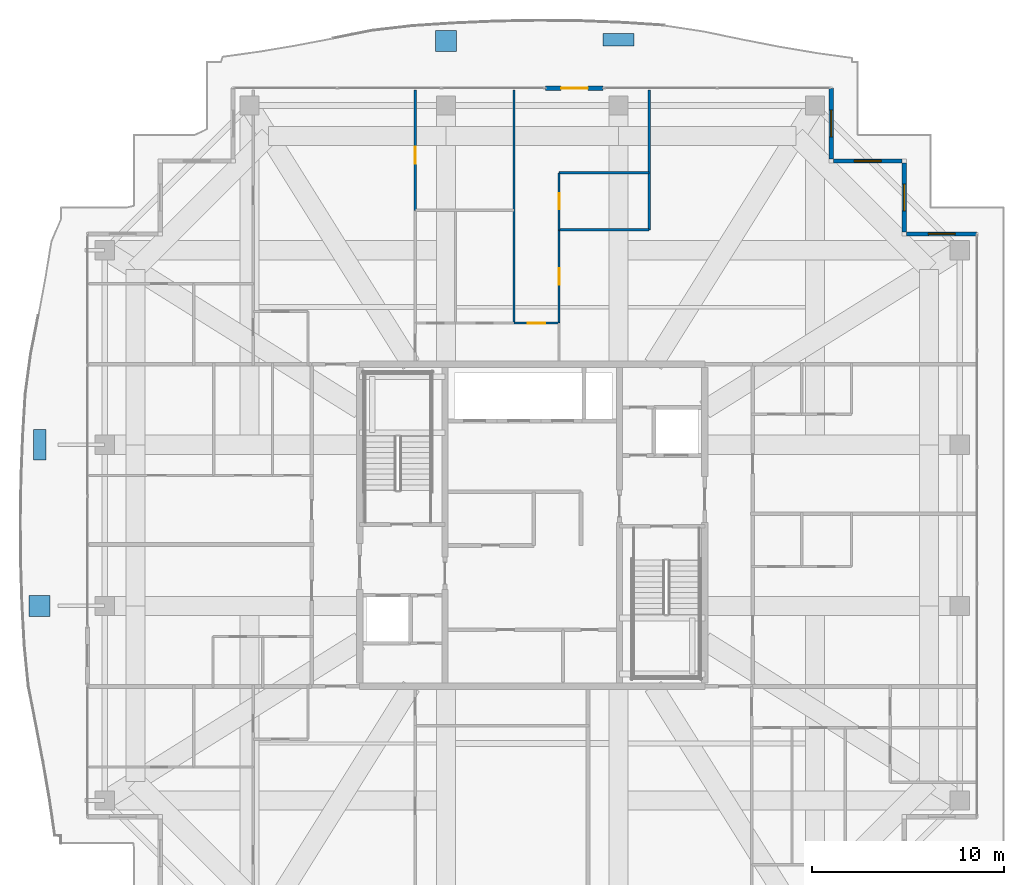
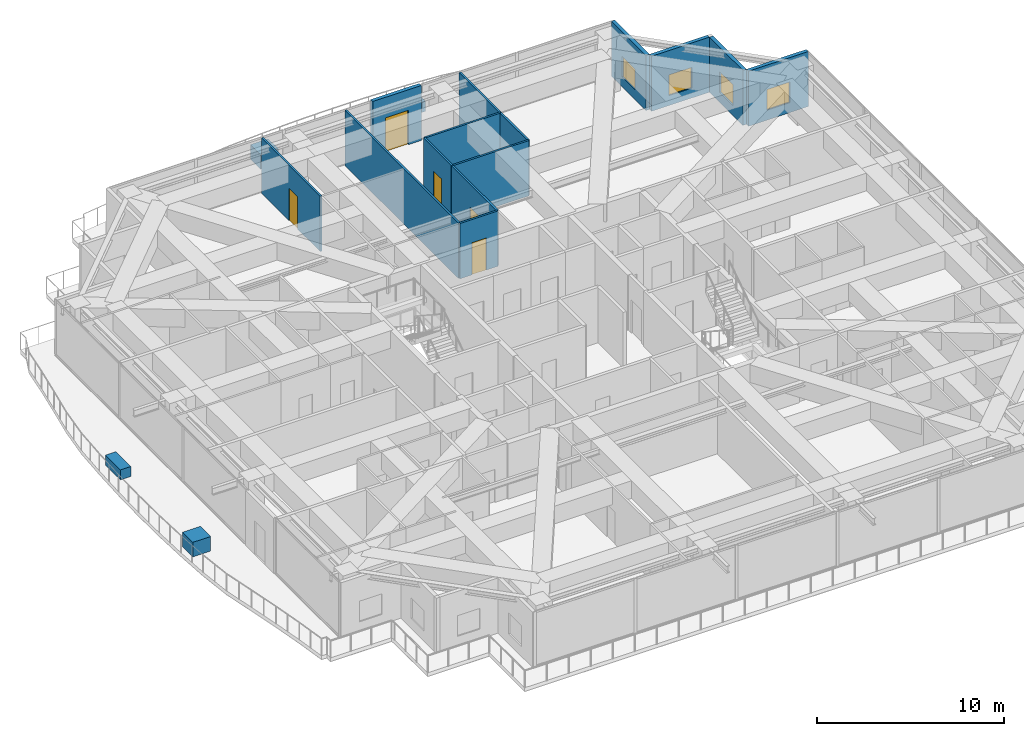
# One storey, part 33 of 40: 13 walls, 5 doors, 4 discrete accessories, 4 windows, 9 openings.
"""IFC4 building model written with IfcOpenShell, lengths in metres."""

from ifc_helpers import new_model, si_unit, direction, frame, frame_2d, origin, origin_2d, place, context, subcontext, project, spatial, rectangle, extrude, source, transform, mapped, material, layer, layer_set, type_object, element, fill, save


model = new_model("IFC4")

# Units and contexts
model_context = context("Model", 3, precision=1e-05, world=origin(), true_north=direction((0.0, 1.0)))
body_context = subcontext(model_context, "Body", "Model", "MODEL_VIEW")
ifc_project = project(units=[si_unit("LENGTHUNIT", "METRE"), si_unit("AREAUNIT", "SQUARE_METRE"), si_unit("VOLUMEUNIT", "CUBIC_METRE"), si_unit("PLANEANGLEUNIT", "RADIAN"), si_unit("MASSUNIT", "GRAM", prefix="KILO")], contexts=[model_context])

# Site, building, storey
site_placement = place(None, origin())
site = spatial("IfcSite", under=ifc_project, at=site_placement, CompositionType="ELEMENT")
building_placement = place(site_placement, origin())
building = spatial("IfcBuilding", under=site, at=building_placement, Name="Serunith Strait Residences", CompositionType="ELEMENT")
storey_placement = place(building_placement, frame((0.0, 0.0, 333.949951171875)))
storey = spatial("IfcBuildingStorey", under=building, at=storey_placement, Name="L83", CompositionType="ELEMENT", Elevation=333.949951171875)

# Wall, opening, window
ifc_material_1 = material(Name="Pale-Champagne Aluminium Insulated Panel", Category="aluminium")
ifc_layer_1 = layer(ifc_material_1, 0.219970703125, Name="Pale-Champagne Aluminium Insulated Panel")
ifc_layer_set_1 = layer_set([ifc_layer_1], Name="Pale-Champagne Aluminium Insulated Panel")
wall_type_1 = type_object("IfcWallType", Name="EW-ALUM-220", PredefinedType="ELEMENTEDWALL", material=ifc_layer_set_1)
wall_1_placement = place(storey_placement, frame((55.60009765625, 40.39990234375, 0.0), z_axis=(0.0, 0.0, 1.0), x_axis=(-1.0, 0.0, 0.0)))
wall_1 = element("IfcWall", 1, at=wall_1_placement, inside=storey, type_object=wall_type_1, Name="L83 Girih Serrated Corner Wall 07", PredefinedType="ELEMENTEDWALL", context=body_context, shape_type="SweptSolid", body=[
    extrude(rectangle(XDim=3.690185546875, YDim=0.219970703125, at=frame_2d((1.84521484375, 0.0))), origin(), (0.0, 0.0, 1.0), 3.594970703125),
])
opening_1_placement = place(wall_1_placement, frame((1.14501953125, 0.0, 0.64990234375)))
opening_1 = element("IfcOpeningElement", 2, at=opening_1_placement, cuts=wall_1, Name="Opening W-09", PredefinedType="OPENING", context=body_context, shape_type="SweptSolid", body=[
    extrude(rectangle(XDim=1.39990234375, YDim=1.35009765625, at=frame_2d((0.699951171875, 0.675048828125))), frame((0.0, 0.1201171875, 0.0), z_axis=(0.0, -1.0, 0.0), x_axis=(1.0, 0.0, 0.0)), (0.0, 0.0, 1.0), 0.239990234375),
])
ifc_material_2 = material(Name="Setback Spandrel Ceramic-Fritted Operable Window Glass", Category="glass")
window_type = type_object("IfcWindowType", Name="WIN-C7", PartitioningType="DOUBLE_PANEL_VERTICAL", PredefinedType="WINDOW", material=ifc_material_2)
shared_shape_1 = source(origin(), body_context, "Body", "SweptSolid", [
    extrude(rectangle(XDim=1.39990234375, YDim=1.35009765625, at=frame_2d((0.699951171875, 0.675048828125))), frame((0.0, 0.030029296875, 0.0), z_axis=(0.0, -1.0, 0.0), x_axis=(1.0, 0.0, 0.0)), (0.0, 0.0, 1.0), 0.06005859375),
])
window_1_placement = place(opening_1_placement, origin())
window_1 = element("IfcWindow", 3, at=window_1_placement, inside=storey, type_object=window_type, Name="L83 Corner Operable Fritted Window 07", OverallHeight=1.35009765625, OverallWidth=1.39990234375, PartitioningType="SINGLE_PANEL", PredefinedType="WINDOW", context=body_context, shape_type="MappedRepresentation", body=[
    mapped(shared_shape_1, transform((0.0, 0.0, 0.0), scale=1.0)),
])
fill(opening_1, window_1)

wall_2_placement = place(storey_placement, frame((51.800048828125, 40.510009765625, 0.0), z_axis=(0.0, 0.0, 1.0), x_axis=(0.0, 1.0, 0.0)))
wall_2 = element("IfcWall", 4, at=wall_2_placement, inside=storey, type_object=wall_type_1, Name="L83 Girih Serrated Corner Wall 08", PredefinedType="ELEMENTEDWALL", context=body_context, shape_type="SweptSolid", body=[
    extrude(rectangle(XDim=3.580078125, YDim=0.219970703125, at=frame_2d((1.7900390625, 0.0))), origin(), (0.0, 0.0, 1.0), 3.594970703125),
])
opening_2_placement = place(wall_2_placement, frame((1.090087890625, 0.0, 0.64990234375)))
opening_2 = element("IfcOpeningElement", 5, at=opening_2_placement, cuts=wall_2, Name="Opening W-09", PredefinedType="OPENING", context=body_context, shape_type="SweptSolid", body=[
    extrude(rectangle(XDim=1.39990234375, YDim=1.35009765625, at=frame_2d((0.699951171875, 0.675048828125))), frame((0.0, 0.1201171875, 0.0), z_axis=(0.0, -1.0, 0.0), x_axis=(1.0, 0.0, 0.0)), (0.0, 0.0, 1.0), 0.239990234375),
])
window_2_placement = place(opening_2_placement, origin())
window_2 = element("IfcWindow", 6, at=window_2_placement, inside=storey, type_object=window_type, Name="L83 Corner Operable Fritted Window 08", OverallHeight=1.35009765625, OverallWidth=1.39990234375, PartitioningType="SINGLE_PANEL", PredefinedType="WINDOW", context=body_context, shape_type="MappedRepresentation", body=[
    mapped(shared_shape_1, transform((0.0, 0.0, 0.0), scale=1.0)),
])
fill(opening_2, window_2)

wall_3_placement = place(storey_placement, frame((51.68994140625, 44.199951171875, 0.0), z_axis=(0.0, 0.0, 1.0), x_axis=(-1.0, 0.0, 0.0)))
wall_3 = element("IfcWall", 7, at=wall_3_placement, inside=storey, type_object=wall_type_1, Name="L83 Girih Serrated Corner Wall 09", PredefinedType="ELEMENTEDWALL", context=body_context, shape_type="SweptSolid", body=[
    extrude(rectangle(XDim=3.579833984375, YDim=0.219970703125, at=frame_2d((1.7900390625, 0.0))), origin(), (0.0, 0.0, 1.0), 3.594970703125),
])
opening_3_placement = place(wall_3_placement, frame((1.090087890625, 0.0, 0.64990234375)))
opening_3 = element("IfcOpeningElement", 8, at=opening_3_placement, cuts=wall_3, Name="Opening W-09", PredefinedType="OPENING", context=body_context, shape_type="SweptSolid", body=[
    extrude(rectangle(XDim=1.39990234375, YDim=1.35009765625, at=frame_2d((0.699951171875, 0.675048828125))), frame((0.0, 0.1201171875, 0.0), z_axis=(0.0, -1.0, 0.0), x_axis=(1.0, 0.0, 0.0)), (0.0, 0.0, 1.0), 0.239990234375),
])
window_3_placement = place(opening_3_placement, origin())
window_3 = element("IfcWindow", 9, at=window_3_placement, inside=storey, type_object=window_type, Name="L83 Corner Operable Fritted Window 09", OverallHeight=1.35009765625, OverallWidth=1.39990234375, PartitioningType="SINGLE_PANEL", PredefinedType="WINDOW", context=body_context, shape_type="MappedRepresentation", body=[
    mapped(shared_shape_1, transform((0.0, 0.0, 0.0), scale=1.0)),
])
fill(opening_3, window_3)

wall_4_placement = place(storey_placement, frame((48.0, 44.31005859375, 0.0), z_axis=(0.0, 0.0, 1.0), x_axis=(0.0, 1.0, 0.0)))
wall_4 = element("IfcWall", 10, at=wall_4_placement, inside=storey, type_object=wall_type_1, Name="L83 Girih Serrated Corner Wall 10", PredefinedType="ELEMENTEDWALL", context=body_context, shape_type="SweptSolid", body=[
    extrude(rectangle(XDim=3.68994140625, YDim=0.219970703125, at=frame_2d((1.844970703125, 0.0))), origin(), (0.0, 0.0, 1.0), 3.594970703125),
])
opening_4_placement = place(wall_4_placement, frame((1.14501953125, 0.0, 0.64990234375)))
opening_4 = element("IfcOpeningElement", 11, at=opening_4_placement, cuts=wall_4, Name="Opening W-09", PredefinedType="OPENING", context=body_context, shape_type="SweptSolid", body=[
    extrude(rectangle(XDim=1.39990234375, YDim=1.35009765625, at=frame_2d((0.699951171875, 0.675048828125))), frame((0.0, 0.1201171875, 0.0), z_axis=(0.0, -1.0, 0.0), x_axis=(1.0, 0.0, 0.0)), (0.0, 0.0, 1.0), 0.239990234375),
])
window_4_placement = place(opening_4_placement, origin())
window_4 = element("IfcWindow", 12, at=window_4_placement, inside=storey, type_object=window_type, Name="L83 Corner Operable Fritted Window 10", OverallHeight=1.35009765625, OverallWidth=1.39990234375, PartitioningType="SINGLE_PANEL", PredefinedType="WINDOW", context=body_context, shape_type="MappedRepresentation", body=[
    mapped(shared_shape_1, transform((0.0, 0.0, 0.0), scale=1.0)),
])
fill(opening_4, window_4)

# Wall, opening, door
wall_5_placement = place(storey_placement, frame((36.10009765625, 48.0, 0.0), z_axis=(0.0, 0.0, 1.0), x_axis=(-1.0, 0.0, 0.0)))
wall_5 = element("IfcWall", 13, at=wall_5_placement, inside=storey, type_object=wall_type_1, Name="L83 N Facade Pier Wall", PredefinedType="ELEMENTEDWALL", context=body_context, shape_type="SweptSolid", body=[
    extrude(rectangle(XDim=3.0, YDim=0.219970703125, at=frame_2d((1.5, 0.0))), origin(), (0.0, 0.0, 1.0), 3.594970703125),
])
opening_5_placement = place(wall_5_placement, frame((0.800048828125, 0.0, 0.0)))
opening_5 = element("IfcOpeningElement", 14, at=opening_5_placement, cuts=wall_5, Name="Opening ED-04", PredefinedType="OPENING", context=body_context, shape_type="SweptSolid", body=[
    extrude(rectangle(XDim=1.39990234375, YDim=2.25, at=frame_2d((0.699951171875, 1.125))), frame((0.0, 0.1201171875, 0.0), z_axis=(0.0, -1.0, 0.0), x_axis=(1.0, 0.0, 0.0)), (0.0, 0.0, 1.0), 0.239990234375),
])
ifc_material_3 = material(Name="Thermally-Broken Aluminium Sliding Balcony Door", Category="aluminium")
door_type_1 = type_object("IfcDoorType", Name="ED-BALC-1400", OperationType="NOTDEFINED", PredefinedType="DOOR", material=ifc_material_3)
shared_shape_2 = source(origin(), body_context, "Body", "SweptSolid", [
    extrude(rectangle(XDim=1.39990234375, YDim=2.25, at=frame_2d((0.699951171875, 1.125))), frame((0.0, 0.02490234375, 0.0), z_axis=(0.0, -1.0, 0.0), x_axis=(1.0, 0.0, 0.0)), (0.0, 0.0, 1.0), 0.050048828125),
])
door_1_placement = place(opening_5_placement, origin())
door_1 = element("IfcDoor", 15, at=door_1_placement, inside=storey, type_object=door_type_1, Name="L83 N Vertical-Forest Balcony Door", OperationType="SLIDING_TO_LEFT", OverallHeight=2.25, OverallWidth=1.39990234375, PredefinedType="DOOR", context=body_context, shape_type="MappedRepresentation", body=[
    mapped(shared_shape_2, transform((0.0, 0.0, 0.0), scale=1.0)),
])
fill(opening_5, door_1)

ifc_material_4 = material(Name="Lightweight steel-stud gypsum partition", Category="steel")
ifc_layer_2 = layer(ifc_material_4, 0.1201171875, Name="Lightweight steel-stud gypsum partition")
ifc_layer_set_2 = layer_set([ifc_layer_2], Name="Lightweight steel-stud gypsum partition")
wall_type_2 = type_object("IfcWallType", Name="IW-PART-120", PredefinedType="PARTITIONING", material=ifc_layer_set_2)
wall_6_placement = place(storey_placement, frame((26.300048828125, 47.905029296875, 0.0), z_axis=(0.0, 0.0, 1.0), x_axis=(0.0, -1.0, 0.0)))
wall_6 = element("IfcWall", 16, at=wall_6_placement, inside=storey, type_object=wall_type_2, Name="L83 Partition Wall 066", PredefinedType="PARTITIONING", context=body_context, shape_type="SweptSolid", body=[
    extrude(rectangle(XDim=6.275146484375, YDim=0.1201171875, at=frame_2d((3.1376953125, 0.0))), origin(), (0.0, 0.0, 1.0), 3.610107421875),
])
opening_6_placement = place(wall_6_placement, frame((2.9560546875, 0.0, 0.0)))
opening_6 = element("IfcOpeningElement", 17, at=opening_6_placement, cuts=wall_6, Name="Opening D-RM900", PredefinedType="OPENING", context=body_context, shape_type="SweptSolid", body=[
    extrude(rectangle(XDim=0.89990234375, YDim=2.10009765625, at=frame_2d((0.449951171875, 1.050048828125))), frame((0.0, 0.070068359375, 0.0), z_axis=(0.0, -1.0, 0.0), x_axis=(1.0, 0.0, 0.0)), (0.0, 0.0, 1.0), 0.14013671875),
])
ifc_material_5 = material(Name="Engineered timber flush bedroom door", Category="wood")
door_type_2 = type_object("IfcDoorType", Name="ID-ROOM-900", OperationType="NOTDEFINED", PredefinedType="DOOR", material=ifc_material_5)
shared_shape_3 = source(origin(), body_context, "Body", "SweptSolid", [
    extrude(rectangle(XDim=0.89990234375, YDim=2.10009765625, at=frame_2d((0.449951171875, 1.050048828125))), frame((0.0, 0.02490234375, 0.0), z_axis=(0.0, -1.0, 0.0), x_axis=(1.0, 0.0, 0.0)), (0.0, 0.0, 1.0), 0.050048828125),
])
door_2_placement = place(opening_6_placement, origin())
door_2 = element("IfcDoor", 18, at=door_2_placement, inside=storey, type_object=door_type_2, Name="L83 Formal Dining Room 2 8303 Door", OperationType="SINGLE_SWING_LEFT", OverallHeight=2.10009765625, OverallWidth=0.89990234375, PredefinedType="DOOR", context=body_context, shape_type="MappedRepresentation", body=[
    mapped(shared_shape_3, transform((0.0, 0.0, 0.0), scale=1.0)),
])
fill(opening_6, door_2)

# Wall
wall_7_placement = place(storey_placement, frame((31.449951171875, 47.905029296875, 0.0), z_axis=(0.0, 0.0, 1.0), x_axis=(0.0, -1.0, 0.0)))
element("IfcWall", 19, at=wall_7_placement, inside=storey, type_object=wall_type_2, Name="L83 Partition Wall 069", PredefinedType="PARTITIONING", context=body_context, shape_type="SweptSolid", body=[
    extrude(rectangle(XDim=12.155029296875, YDim=0.1201171875, at=frame_2d((6.07763671875, 0.0))), origin(), (0.0, 0.0, 1.0), 3.610107421875),
])

# Wall, opening, door
wall_8_placement = place(storey_placement, frame((31.451904296875, 35.75, 0.0), z_axis=(0.0, 0.0, 1.0), x_axis=(1.0, 0.0, 0.0)))
wall_8 = element("IfcWall", 20, at=wall_8_placement, inside=storey, type_object=wall_type_2, Name="L83 Partition Wall 073", PredefinedType="PARTITIONING", context=body_context, shape_type="SweptSolid", body=[
    extrude(rectangle(XDim=2.34814453125, YDim=0.1201171875, at=frame_2d((1.174072265625, 0.0))), origin(), (0.0, 0.0, 1.0), 3.610107421875),
])
opening_7_placement = place(wall_8_placement, frame((0.72412109375, 0.0, 0.0)))
opening_7 = element("IfcOpeningElement", 21, at=opening_7_placement, cuts=wall_8, Name="Opening D-RM900", PredefinedType="OPENING", context=body_context, shape_type="SweptSolid", body=[
    extrude(rectangle(XDim=0.89990234375, YDim=2.10009765625, at=frame_2d((0.449951171875, 1.050048828125))), frame((0.0, 0.070068359375, 0.0), z_axis=(0.0, -1.0, 0.0), x_axis=(1.0, 0.0, 0.0)), (0.0, 0.0, 1.0), 0.14013671875),
])
door_3_placement = place(opening_7_placement, origin())
door_3 = element("IfcDoor", 22, at=door_3_placement, inside=storey, type_object=door_type_2, Name="L83 Master Bedroom E 8303 Door", OperationType="SINGLE_SWING_RIGHT", OverallHeight=2.10009765625, OverallWidth=0.89990234375, PredefinedType="DOOR", context=body_context, shape_type="MappedRepresentation", body=[
    mapped(shared_shape_3, transform((0.0, 0.0, 0.0), scale=1.0)),
])
fill(opening_7, door_3)

# Walls
wall_9_placement = place(storey_placement, frame((33.800048828125, 43.587890625, 0.0), z_axis=(0.0, 0.0, 1.0), x_axis=(1.0, 0.0, 0.0)))
element("IfcWall", 23, at=wall_9_placement, inside=storey, type_object=wall_type_2, Name="L83 Partition Wall 074", PredefinedType="PARTITIONING", context=body_context, shape_type="SweptSolid", body=[
    extrude(rectangle(XDim=4.699951171875, YDim=0.1201171875, at=frame_2d((2.35009765625, 0.0))), origin(), (0.0, 0.0, 1.0), 3.610107421875),
])
wall_10_placement = place(storey_placement, frame((38.5, 47.905029296875, 0.0), z_axis=(0.0, 0.0, 1.0), x_axis=(0.0, -1.0, 0.0)))
element("IfcWall", 24, at=wall_10_placement, inside=storey, type_object=wall_type_2, Name="L83 Partition Wall 075", PredefinedType="PARTITIONING", context=body_context, shape_type="SweptSolid", body=[
    extrude(rectangle(XDim=7.296142578125, YDim=0.1201171875, at=frame_2d((3.64794921875, 0.0))), origin(), (0.0, 0.0, 1.0), 3.610107421875),
])
wall_11_placement = place(storey_placement, frame((33.800048828125, 40.60888671875, 0.0), z_axis=(0.0, 0.0, 1.0), x_axis=(1.0, 0.0, 0.0)))
element("IfcWall", 25, at=wall_11_placement, inside=storey, type_object=wall_type_2, Name="L83 Partition Wall 076", PredefinedType="PARTITIONING", context=body_context, shape_type="SweptSolid", body=[
    extrude(rectangle(XDim=4.699951171875, YDim=0.1201171875, at=frame_2d((2.35009765625, 0.0))), origin(), (0.0, 0.0, 1.0), 3.610107421875),
])

# Wall, opening, door
wall_12_placement = place(storey_placement, frame((33.800048828125, 43.587890625, 0.0), z_axis=(0.0, 0.0, 1.0), x_axis=(0.0, -1.0, 0.0)))
wall_12 = element("IfcWall", 26, at=wall_12_placement, inside=storey, type_object=wall_type_2, Name="L83 Partition Wall 077", PredefinedType="PARTITIONING", context=body_context, shape_type="SweptSolid", body=[
    extrude(rectangle(XDim=2.97900390625, YDim=0.1201171875, at=frame_2d((1.489501953125, 0.0))), origin(), (0.0, 0.0, 1.0), 3.610107421875),
])
opening_8_placement = place(wall_12_placement, frame((1.06396484375, 0.0, 0.0)))
opening_8 = element("IfcOpeningElement", 27, at=opening_8_placement, cuts=wall_12, Name="Opening D-BTH850", PredefinedType="OPENING", context=body_context, shape_type="SweptSolid", body=[
    extrude(rectangle(XDim=0.85009765625, YDim=2.10009765625, at=frame_2d((0.425048828125, 1.050048828125))), frame((0.0, 0.070068359375, 0.0), z_axis=(0.0, -1.0, 0.0), x_axis=(1.0, 0.0, 0.0)), (0.0, 0.0, 1.0), 0.14013671875),
])
ifc_material_6 = material(Name="Moisture-resistant timber bathroom door", Category="wood")
door_type_3 = type_object("IfcDoorType", Name="ID-BATH-850", OperationType="NOTDEFINED", PredefinedType="DOOR", material=ifc_material_6)
shared_shape_4 = source(origin(), body_context, "Body", "SweptSolid", [
    extrude(rectangle(XDim=0.85009765625, YDim=2.10009765625, at=frame_2d((0.425048828125, 1.050048828125))), frame((0.0, 0.02490234375, 0.0), z_axis=(0.0, -1.0, 0.0), x_axis=(1.0, 0.0, 0.0)), (0.0, 0.0, 1.0), 0.050048828125),
])
door_4_placement = place(opening_8_placement, origin())
door_4 = element("IfcDoor", 28, at=door_4_placement, inside=storey, type_object=door_type_3, Name="L83 En-suite Bathroom E 8303 Door", OperationType="SINGLE_SWING_LEFT", OverallHeight=2.10009765625, OverallWidth=0.85009765625, PredefinedType="DOOR", context=body_context, shape_type="MappedRepresentation", body=[
    mapped(shared_shape_4, transform((0.0, 0.0, 0.0), scale=1.0)),
])
fill(opening_8, door_4)

wall_13_placement = place(storey_placement, frame((33.800048828125, 40.60693359375, 0.0), z_axis=(0.0, 0.0, 1.0), x_axis=(0.0, -1.0, 0.0)))
wall_13 = element("IfcWall", 29, at=wall_13_placement, inside=storey, type_object=wall_type_2, Name="L83 Partition Wall 078", PredefinedType="PARTITIONING", context=body_context, shape_type="SweptSolid", body=[
    extrude(rectangle(XDim=4.85693359375, YDim=0.1201171875, at=frame_2d((2.428466796875, 0.0))), origin(), (0.0, 0.0, 1.0), 3.610107421875),
])
opening_9_placement = place(wall_13_placement, frame((2.0029296875, 0.0, 0.0)))
opening_9 = element("IfcOpeningElement", 30, at=opening_9_placement, cuts=wall_13, Name="Opening D-RM850", PredefinedType="OPENING", context=body_context, shape_type="SweptSolid", body=[
    extrude(rectangle(XDim=0.85009765625, YDim=2.10009765625, at=frame_2d((0.425048828125, 1.050048828125))), frame((0.0, 0.070068359375, 0.0), z_axis=(0.0, -1.0, 0.0), x_axis=(1.0, 0.0, 0.0)), (0.0, 0.0, 1.0), 0.14013671875),
])
ifc_material_7 = material(Name="Engineered timber flush study and kitchen door", Category="wood")
door_type_4 = type_object("IfcDoorType", Name="ID-ROOM-850", OperationType="NOTDEFINED", PredefinedType="DOOR", material=ifc_material_7)
door_5_placement = place(opening_9_placement, origin())
door_5 = element("IfcDoor", 31, at=door_5_placement, inside=storey, type_object=door_type_4, Name="L83 Wardrobe E 8303 Door", OperationType="SINGLE_SWING_RIGHT", OverallHeight=2.10009765625, OverallWidth=0.85009765625, PredefinedType="DOOR", context=body_context, shape_type="MappedRepresentation", body=[
    mapped(shared_shape_4, transform((0.0, 0.0, 0.0), scale=1.0)),
])
fill(opening_9, door_5)

# Discrete accessories
ifc_material_8 = material(Name="GFRC Root-Anchored Structural Planter")
discrete_accessory_type_1 = type_object("IfcDiscreteAccessoryType", Name="ACC-PLANTER-TREE", PredefinedType="USERDEFINED", material=ifc_material_8)
shared_shape_5 = source(origin(), body_context, "Body", "SweptSolid", [
    extrude(rectangle(XDim=1.10009765625, YDim=1.10009765625, at=origin_2d()), origin(), (0.0, 0.0, 1.0), 0.949951171875),
])
for number, where, z_axis, x_axis, name in (
    (32, (27.89990234375, 50.4677734375, -0.0498046875), (0.0, 0.0, 1.0), (-1.0, 0.0, 0.0), "L83 Vertical-Forest Tree Planter 06"),
    (33, (6.699951171875, 21.0, -0.0498046875), (0.0, 0.0, 1.0), (0.0, -1.0, 0.0), "L83 Vertical-Forest Tree Planter 14"),
):
    element("IfcDiscreteAccessory", number, at=place(storey_placement, frame(where, z_axis=z_axis, x_axis=x_axis)), inside=storey, type_object=discrete_accessory_type_1, Name=name, ObjectType="PLANTER", PredefinedType="USERDEFINED", context=body_context, shape_type="MappedRepresentation", body=[
        mapped(shared_shape_5, transform((0.0, 0.0, 0.0), scale=1.0)),
    ])
ifc_material_9 = material(Name="GFRC Irrigated Shrub Trough Planter")
discrete_accessory_type_2 = type_object("IfcDiscreteAccessoryType", Name="ACC-PLANTER-SHRUB", PredefinedType="USERDEFINED", material=ifc_material_9)
shared_shape_6 = source(origin(), body_context, "Body", "SweptSolid", [
    extrude(rectangle(XDim=1.60009765625, YDim=0.64990234375, at=origin_2d()), origin(), (0.0, 0.0, 1.0), 0.64990234375),
])
for number, where, z_axis, x_axis, name in (
    (34, (36.89990234375, 50.53076171875, -0.0498046875), (0.0, 0.0, 1.0), (-1.0, 0.0, 0.0), "L83 Vertical-Forest Shrub Planter 07"),
    (35, (6.71240234375, 29.39990234375, -0.0498046875), (0.0, 0.0, 1.0), (0.0, -1.0, 0.0), "L83 Vertical-Forest Shrub Planter 15"),
):
    element("IfcDiscreteAccessory", number, at=place(storey_placement, frame(where, z_axis=z_axis, x_axis=x_axis)), inside=storey, type_object=discrete_accessory_type_2, Name=name, ObjectType="PLANTER", PredefinedType="USERDEFINED", context=body_context, shape_type="MappedRepresentation", body=[
        mapped(shared_shape_6, transform((0.0, 0.0, 0.0), scale=1.0)),
    ])

save(model, "model.ifc")
